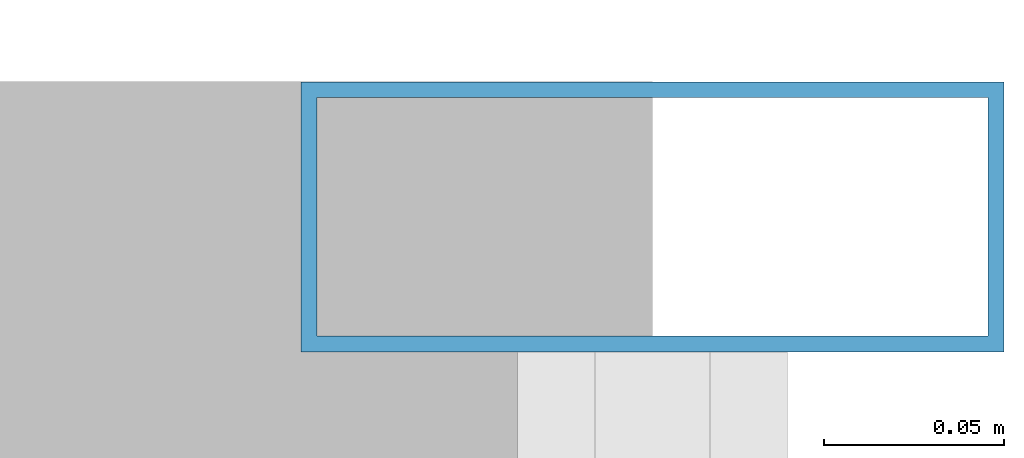
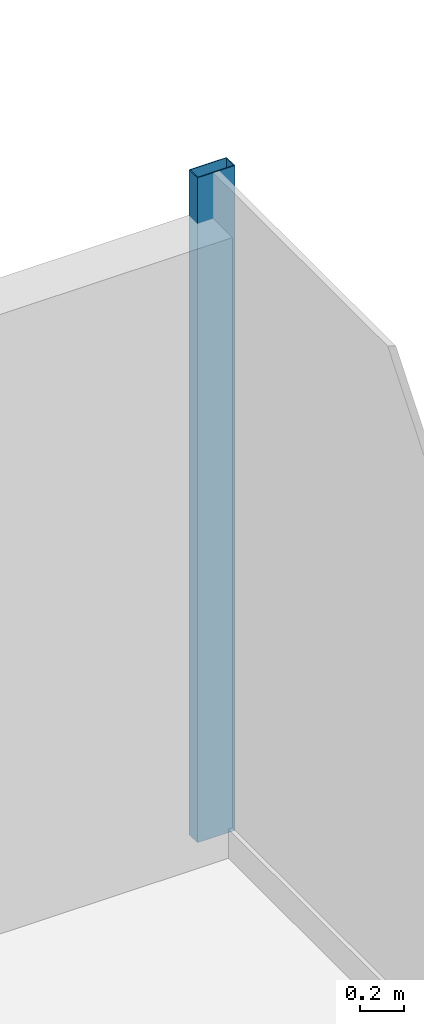
# One storey, part 18 of 25: 1 member, 1 element without a shape of its own.
"""IFC4 building model written with IfcOpenShell, lengths in metres."""

from ifc_helpers import new_model, si_unit, derived_unit, direction, frame, origin, origin_2d, place, context, subcontext, project, spatial, hollow_rectangle, extrude, source, transform, mapped, material, material_profile, profile_set, type_object, element, aggregate, save


model = new_model("IFC4")

# Units and contexts
model_context = context("Model", 3, precision=1e-05, world=origin(), true_north=direction((0.0, 1.0)))
body_context = subcontext(model_context, "Body", "Model", "MODEL_VIEW")
ifc_project = project(units=[si_unit("LENGTHUNIT", "METRE"), si_unit("AREAUNIT", "SQUARE_METRE"), si_unit("VOLUMEUNIT", "CUBIC_METRE"), si_unit("PLANEANGLEUNIT", "RADIAN"), si_unit("MASSUNIT", "GRAM", prefix="KILO"), derived_unit("THERMALTRANSMITTANCEUNIT", [(si_unit("POWERUNIT", "WATT"), 1), (si_unit("LENGTHUNIT", "METRE"), -2), (si_unit("THERMODYNAMICTEMPERATUREUNIT", "KELVIN"), -1)])], contexts=[model_context])

# Site, building, storey
site_placement = place(None, origin())
site = spatial("IfcSite", under=ifc_project, at=site_placement, CompositionType="ELEMENT")
building_placement = place(site_placement, origin())
building = spatial("IfcBuilding", under=site, at=building_placement, Name="Skarnbrae Concourse Arena and Tower", CompositionType="ELEMENT")
storey_placement = place(building_placement, frame((0.0, 0.0, 147.89990234375)))
storey = spatial("IfcBuildingStorey", under=building, at=storey_placement, Name="L37", CompositionType="ELEMENT", Elevation=147.89990234375)

# Curtain wall, member
ifc_material = material(Name="Bronze anodised aluminium 6063-T6", Category="aluminium")
curtain_wall_type = type_object("IfcCurtainWallType", Name="CW-SYS-04-MIDZONE", PredefinedType="USERDEFINED", material=ifc_material)
curtain_wall_placement = place(storey_placement, origin())
curtain_wall = element("IfcCurtainWall", 1, at=curtain_wall_placement, inside=storey, type_object=curtain_wall_type, Name="L37 Unitised curtain wall CW-L37-E04", ObjectType="UNITISED CURTAIN WALL", PredefinedType="USERDEFINED")
ifc_material_profile = material_profile(ifc_material, hollow_rectangle(XDim=0.074951171875, YDim=0.195068359375, WallThickness=0.00439453125, at=origin_2d()), Name="ALU-MULL-75X195")
ifc_profile_set = profile_set([ifc_material_profile], Name="Bronze anodised aluminium 6063-T6")
member_type = type_object("IfcMemberType", Name="CWM-CW-04", PredefinedType="MULLION", material=ifc_profile_set)
shared_shape = source(origin(), body_context, "Body", "SweptSolid", [
    extrude(hollow_rectangle(XDim=0.074951171875, YDim=0.195068359375, WallThickness=0.00439453125, at=origin_2d()), origin(), (0.0, 0.0, 1.0), 3.650146484375),
])
member_placement = place(storey_placement, frame((50.0, 32.96240234375, 0.0), z_axis=(0.0, 0.0, 1.0), x_axis=(0.0, 1.0, 0.0)))
member = element("IfcMember", 2, at=member_placement, type_object=member_type, Name="CW-L37-E04 Mullion 5", PredefinedType="MULLION", context=body_context, shape_type="MappedRepresentation", body=[
    mapped(shared_shape, transform((0.0, 0.0, 0.0))),
])
aggregate(curtain_wall, [member])

save(model, "model.ifc")
